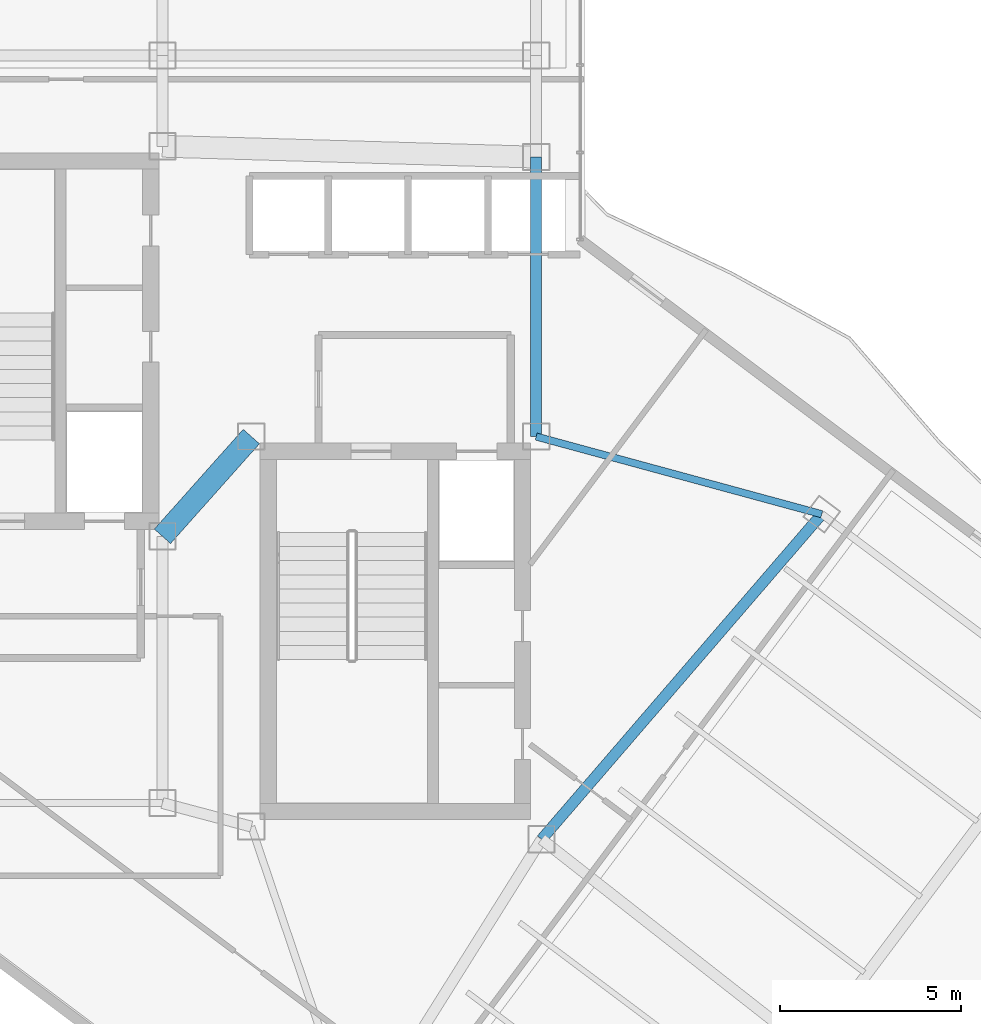
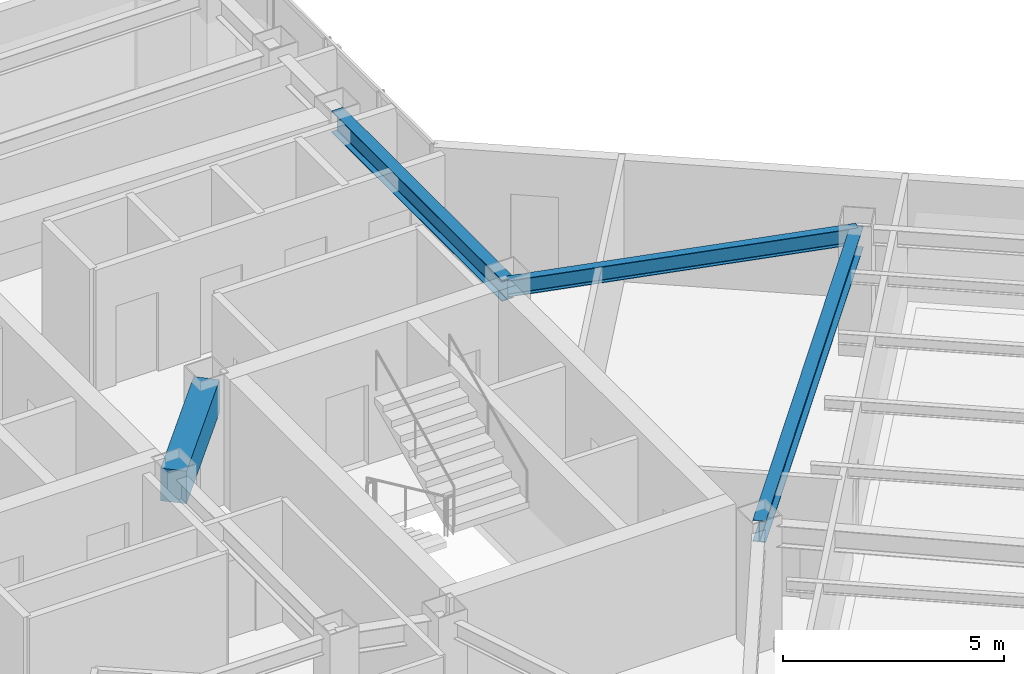
# One storey, part 9 of 24: 4 beams.
"""IFC4 building model written with IfcOpenShell, lengths in metres."""

from ifc_helpers import new_model, si_unit, direction, frame, origin, origin_2d, place, context, subcontext, project, spatial, rectangle, i_section, extrude, material, material_profile, profile_set, type_object, element, save


model = new_model("IFC4")

# Units and contexts
model_context = context("Model", 3, precision=1e-05, world=origin(), true_north=direction((0.0, 1.0)))
body_context = subcontext(model_context, "Body", "Model", "MODEL_VIEW")
ifc_project = project(units=[si_unit("LENGTHUNIT", "METRE"), si_unit("AREAUNIT", "SQUARE_METRE"), si_unit("VOLUMEUNIT", "CUBIC_METRE"), si_unit("PLANEANGLEUNIT", "RADIAN"), si_unit("MASSUNIT", "GRAM", prefix="KILO")], contexts=[model_context])

# Site, building, storey
site_placement = place(None, origin())
site = spatial("IfcSite", under=ifc_project, at=site_placement, CompositionType="ELEMENT")
building_placement = place(site_placement, origin())
building = spatial("IfcBuilding", under=site, at=building_placement, Name="Hatsunagi Terrace Concourse", CompositionType="ELEMENT")
storey_placement = place(building_placement, frame((0.0, 0.0, 191.550048828125)))
storey = spatial("IfcBuildingStorey", under=building, at=storey_placement, Name="L50", CompositionType="ELEMENT", Elevation=191.550048828125)

# Beams
ifc_material_1 = material(Name="Concrete Fc42", Category="concrete")
ifc_material_profile_1 = material_profile(ifc_material_1, rectangle(XDim=0.60009765625, YDim=0.89990234375, at=origin_2d()), Name="RC-600x900")
ifc_profile_set_1 = profile_set([ifc_material_profile_1], Name="Concrete Fc42")
beam_type_1 = type_object("IfcBeamType", Name="CoreCouplingBeam_RC_600x900", PredefinedType="BEAM", material=ifc_profile_set_1)
beam_1_placement = place(storey_placement, frame((33.35009765625, 32.550048828125, 2.89990234375), z_axis=(0.665198651008, 0.746666427997, 0.0), x_axis=(-0.746666427997, 0.665198651008, 0.0)))
element("IfcBeam", 1, at=beam_1_placement, inside=storey, type_object=beam_type_1, Name="Beam CB-03 CB-L50-1", PredefinedType="BEAM", context=body_context, shape_type="SweptSolid", body=[
    extrude(rectangle(XDim=0.60009765625, YDim=0.89990234375, at=origin_2d()), origin(), (0.0, 0.0, 1.0), 3.68310546875),
])
ifc_material_2 = material(Name="Steel SN490B", Category="steel")
ifc_material_profile_2 = material_profile(ifc_material_2, i_section(OverallWidth=0.300048828125, OverallDepth=0.587890625, WebThickness=0.011962890625, FlangeThickness=0.02001953125, FilletRadius=0.01806640625, at=origin_2d()), Name="H-588x300x12x20")
ifc_profile_set_2 = profile_set([ifc_material_profile_2], Name="Steel SN490B")
beam_type_2 = type_object("IfcBeamType", Name="OfficeHighGirder_H_588x300", PredefinedType="BEAM", material=ifc_profile_set_2)
beam_2_placement = place(storey_placement, frame((43.64990234375, 35.300048828125, 3.055908203125), z_axis=(0.0, 1.0, 0.0), x_axis=(-1.0, 0.0, 0.0)))
element("IfcBeam", 2, at=beam_2_placement, inside=storey, type_object=beam_type_2, Name="Beam G-06 BM-L50-CBK3", PredefinedType="BEAM", context=body_context, shape_type="SweptSolid", body=[
    extrude(i_section(OverallWidth=0.300048828125, OverallDepth=0.587890625, WebThickness=0.011962890625, FlangeThickness=0.02001953125, FilletRadius=0.01806640625, at=origin_2d()), origin(), (0.0, 0.0, 1.0), 7.699951171875),
])
beam_3_placement = place(storey_placement, frame((43.800048828125, 24.199951171875, 3.055908203125), z_axis=(0.652739101421, 0.757582777969, 0.0), x_axis=(-0.757582777969, 0.652739101421, 0.0)))
element("IfcBeam", 3, at=beam_3_placement, inside=storey, type_object=beam_type_2, Name="Beam G-06 BM-L50-SET-1B", PredefinedType="BEAM", context=body_context, shape_type="SweptSolid", body=[
    extrude(i_section(OverallWidth=0.300048828125, OverallDepth=0.587890625, WebThickness=0.011962890625, FlangeThickness=0.02001953125, FilletRadius=0.01806640625, at=origin_2d()), origin(), (0.0, 0.0, 1.0), 11.8271484375),
])
ifc_material_3 = material(Name="Steel SN490B", Category="steel")
ifc_material_profile_3 = material_profile(ifc_material_3, i_section(OverallWidth=0.199951171875, OverallDepth=0.449951171875, WebThickness=0.009033203125, FlangeThickness=0.013916015625, FilletRadius=0.01611328125, at=origin_2d()), Name="H-450x200x9x14")
ifc_profile_set_3 = profile_set([ifc_material_profile_3], Name="Steel SN490B")
beam_type_3 = type_object("IfcBeamType", Name="PerimeterSpandrel_H_450x200", PredefinedType="SPANDREL", material=ifc_profile_set_3)
beam_4_placement = place(storey_placement, frame((43.64990234375, 35.300048828125, 3.125), z_axis=(0.964958359286, -0.262403057994, 0.0), x_axis=(0.262403057994, 0.964958359286, 0.0)))
element("IfcBeam", 4, at=beam_4_placement, inside=storey, type_object=beam_type_3, Name="Beam SP-02 BM-L50-SE-NE0", PredefinedType="SPANDREL", context=body_context, shape_type="SweptSolid", body=[
    extrude(i_section(OverallWidth=0.199951171875, OverallDepth=0.449951171875, WebThickness=0.009033203125, FlangeThickness=0.013916015625, FilletRadius=0.01611328125, at=origin_2d()), origin(), (0.0, 0.0, 1.0), 8.156005859375),
])

save(model, "model.ifc")
